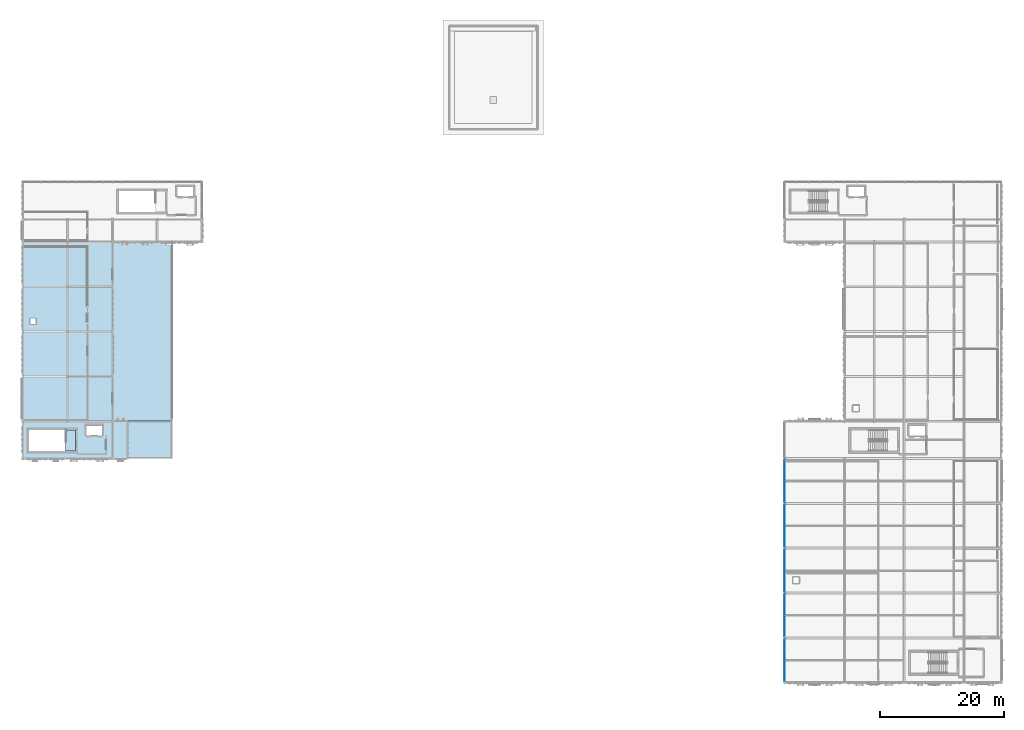
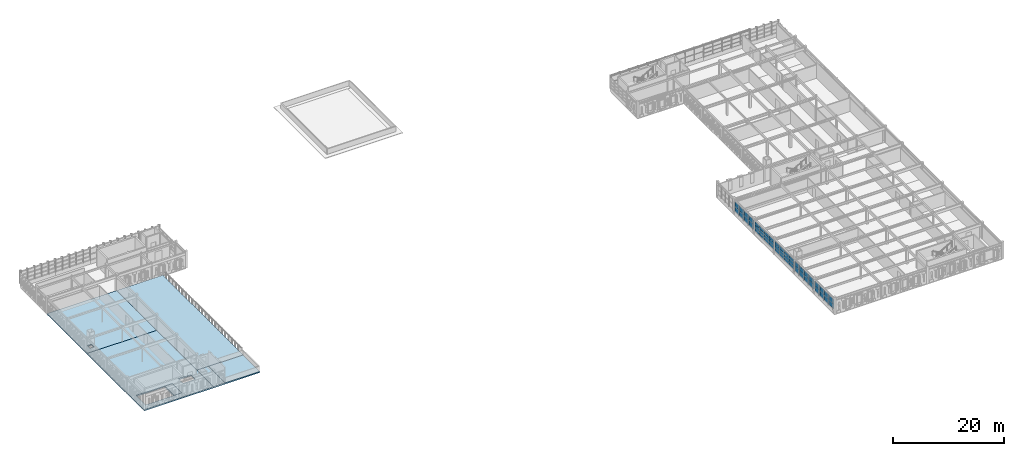
# One storey, part 20 of 46: 48 plates, 6 slabs, 5 elements without a shape of their own.
"""IFC4 building model written with IfcOpenShell, lengths in metres."""

from ifc_helpers import new_model, si_unit, direction, frame, origin, origin_2d, place, context, subcontext, project, spatial, polyline, rectangle, outline, extrude, material, layer, layer_set, type_object, element, aggregate, save


model = new_model("IFC4")

# Units and contexts
model_context = context("Model", 3, precision=1e-05, world=origin(), true_north=direction((0.0, 1.0)))
body_context = subcontext(model_context, "Body", "Model", "MODEL_VIEW")
ifc_project = project(units=[si_unit("LENGTHUNIT", "METRE"), si_unit("AREAUNIT", "SQUARE_METRE"), si_unit("VOLUMEUNIT", "CUBIC_METRE"), si_unit("PLANEANGLEUNIT", "RADIAN"), si_unit("MASSUNIT", "GRAM", prefix="KILO")], contexts=[model_context])

# Site, building, storey
site_placement = place(None, origin())
site = spatial("IfcSite", under=ifc_project, at=site_placement, CompositionType="ELEMENT")
building_placement = place(site_placement, origin())
building = spatial("IfcBuilding", under=site, at=building_placement, Name="Nzembalo Square Collegiate School", CompositionType="ELEMENT")
storey_placement = place(building_placement, frame((0.0, 0.0, 17.340087890625)))
storey = spatial("IfcBuildingStorey", under=building, at=storey_placement, Name="L04", CompositionType="ELEMENT", Elevation=17.340087890625)

# Curtain wall, plates
ifc_material_1 = material(Name="Aluminium 6060-T66", Category="aluminium")
curtain_wall_type_1 = type_object("IfcCurtainWallType", Name="CW-01", PredefinedType="USERDEFINED", material=ifc_material_1)
curtain_wall_1_placement = place(storey_placement, origin())
curtain_wall_1 = element("IfcCurtainWall", 1, at=curtain_wall_1_placement, inside=storey, type_object=curtain_wall_type_1, Name="Curtain wall CW-01 cw:L04:144", ObjectType="UNITISED", PredefinedType="USERDEFINED")
ifc_material_2 = material(Name="Laminated solar-control double glazing", Category="glass")
ifc_layer_1 = layer(ifc_material_2, 0.028076171875, Name="Laminated solar-control double glazing")
ifc_layer_set_1 = layer_set([ifc_layer_1], Name="Laminated solar-control double glazing")
plate_type_1 = type_object("IfcPlateType", Name="PN01", PredefinedType="CURTAIN_PANEL", material=ifc_layer_set_1)
plate_1_placement = place(storey_placement, frame((130.800048828125, 23.85888671875, 0.85400390625), z_axis=(0.0, 0.0, 1.0), x_axis=(0.0, 1.0, 0.0)))
plate_1 = element("IfcPlate", 2, at=plate_1_placement, type_object=plate_type_1, Name="PN01 glazed panel 1-1", PredefinedType="CURTAIN_PANEL", context=body_context, shape_type="SweptSolid", body=[
    extrude(rectangle(XDim=1.68603515625, YDim=0.028076171875, at=origin_2d()), origin(), (0.0, 0.0, 1.0), 0.70166015625),
])
plate_2_placement = place(storey_placement, frame((130.800048828125, 25.552978515625, 0.85400390625), z_axis=(0.0, 0.0, 1.0), x_axis=(0.0, 1.0, 0.0)))
plate_2 = element("IfcPlate", 3, at=plate_2_placement, type_object=plate_type_1, Name="PN01 glazed panel 1-2", PredefinedType="CURTAIN_PANEL", context=body_context, shape_type="SweptSolid", body=[
    extrude(rectangle(XDim=1.68603515625, YDim=0.028076171875, at=origin_2d()), origin(), (0.0, 0.0, 1.0), 0.70166015625),
])
plate_3_placement = place(storey_placement, frame((130.800048828125, 27.2470703125, 0.85400390625), z_axis=(0.0, 0.0, 1.0), x_axis=(0.0, 1.0, 0.0)))
plate_3 = element("IfcPlate", 4, at=plate_3_placement, type_object=plate_type_1, Name="PN01 glazed panel 1-3", PredefinedType="CURTAIN_PANEL", context=body_context, shape_type="SweptSolid", body=[
    extrude(rectangle(XDim=1.68603515625, YDim=0.028076171875, at=origin_2d()), origin(), (0.0, 0.0, 1.0), 0.70166015625),
])
plate_4_placement = place(storey_placement, frame((130.800048828125, 28.94091796875, 0.85400390625), z_axis=(0.0, 0.0, 1.0), x_axis=(0.0, 1.0, 0.0)))
plate_4 = element("IfcPlate", 5, at=plate_4_placement, type_object=plate_type_1, Name="PN01 glazed panel 1-4", PredefinedType="CURTAIN_PANEL", context=body_context, shape_type="SweptSolid", body=[
    extrude(rectangle(XDim=1.68603515625, YDim=0.028076171875, at=origin_2d()), origin(), (0.0, 0.0, 1.0), 0.70166015625),
])
plate_5_placement = place(storey_placement, frame((130.800048828125, 23.85888671875, 1.5634765625), z_axis=(0.0, 0.0, 1.0), x_axis=(0.0, 1.0, 0.0)))
plate_5 = element("IfcPlate", 6, at=plate_5_placement, type_object=plate_type_1, Name="PN01 glazed panel 2-1", PredefinedType="CURTAIN_PANEL", context=body_context, shape_type="SweptSolid", body=[
    extrude(rectangle(XDim=1.68603515625, YDim=0.028076171875, at=origin_2d()), origin(), (0.0, 0.0, 1.0), 0.70166015625),
])
plate_6_placement = place(storey_placement, frame((130.800048828125, 25.552978515625, 1.5634765625), z_axis=(0.0, 0.0, 1.0), x_axis=(0.0, 1.0, 0.0)))
plate_6 = element("IfcPlate", 7, at=plate_6_placement, type_object=plate_type_1, Name="PN01 glazed panel 2-2", PredefinedType="CURTAIN_PANEL", context=body_context, shape_type="SweptSolid", body=[
    extrude(rectangle(XDim=1.68603515625, YDim=0.028076171875, at=origin_2d()), origin(), (0.0, 0.0, 1.0), 0.70166015625),
])
plate_7_placement = place(storey_placement, frame((130.800048828125, 27.2470703125, 1.5634765625), z_axis=(0.0, 0.0, 1.0), x_axis=(0.0, 1.0, 0.0)))
plate_7 = element("IfcPlate", 8, at=plate_7_placement, type_object=plate_type_1, Name="PN01 glazed panel 2-3", PredefinedType="CURTAIN_PANEL", context=body_context, shape_type="SweptSolid", body=[
    extrude(rectangle(XDim=1.68603515625, YDim=0.028076171875, at=origin_2d()), origin(), (0.0, 0.0, 1.0), 0.70166015625),
])
plate_8_placement = place(storey_placement, frame((130.800048828125, 28.94091796875, 1.5634765625), z_axis=(0.0, 0.0, 1.0), x_axis=(0.0, 1.0, 0.0)))
plate_8 = element("IfcPlate", 9, at=plate_8_placement, type_object=plate_type_1, Name="PN01 glazed panel 2-4", PredefinedType="CURTAIN_PANEL", context=body_context, shape_type="SweptSolid", body=[
    extrude(rectangle(XDim=1.68603515625, YDim=0.028076171875, at=origin_2d()), origin(), (0.0, 0.0, 1.0), 0.70166015625),
])
plate_9_placement = place(storey_placement, frame((130.800048828125, 23.85888671875, 2.273193359375), z_axis=(0.0, 0.0, 1.0), x_axis=(0.0, 1.0, 0.0)))
plate_9 = element("IfcPlate", 10, at=plate_9_placement, type_object=plate_type_1, Name="PN01 glazed panel 3-1", PredefinedType="CURTAIN_PANEL", context=body_context, shape_type="SweptSolid", body=[
    extrude(rectangle(XDim=1.68603515625, YDim=0.028076171875, at=origin_2d()), origin(), (0.0, 0.0, 1.0), 0.70166015625),
])
plate_10_placement = place(storey_placement, frame((130.800048828125, 25.552978515625, 2.273193359375), z_axis=(0.0, 0.0, 1.0), x_axis=(0.0, 1.0, 0.0)))
plate_10 = element("IfcPlate", 11, at=plate_10_placement, type_object=plate_type_1, Name="PN01 glazed panel 3-2", PredefinedType="CURTAIN_PANEL", context=body_context, shape_type="SweptSolid", body=[
    extrude(rectangle(XDim=1.68603515625, YDim=0.028076171875, at=origin_2d()), origin(), (0.0, 0.0, 1.0), 0.70166015625),
])
plate_11_placement = place(storey_placement, frame((130.800048828125, 27.2470703125, 2.273193359375), z_axis=(0.0, 0.0, 1.0), x_axis=(0.0, 1.0, 0.0)))
plate_11 = element("IfcPlate", 12, at=plate_11_placement, type_object=plate_type_1, Name="PN01 glazed panel 3-3", PredefinedType="CURTAIN_PANEL", context=body_context, shape_type="SweptSolid", body=[
    extrude(rectangle(XDim=1.68603515625, YDim=0.028076171875, at=origin_2d()), origin(), (0.0, 0.0, 1.0), 0.70166015625),
])
plate_12_placement = place(storey_placement, frame((130.800048828125, 28.94091796875, 2.273193359375), z_axis=(0.0, 0.0, 1.0), x_axis=(0.0, 1.0, 0.0)))
plate_12 = element("IfcPlate", 13, at=plate_12_placement, type_object=plate_type_1, Name="PN01 glazed panel 3-4", PredefinedType="CURTAIN_PANEL", context=body_context, shape_type="SweptSolid", body=[
    extrude(rectangle(XDim=1.68603515625, YDim=0.028076171875, at=origin_2d()), origin(), (0.0, 0.0, 1.0), 0.70166015625),
])
aggregate(curtain_wall_1, [plate_1, plate_2, plate_3, plate_4, plate_5, plate_6, plate_7, plate_8, plate_9, plate_10, plate_11, plate_12])

ifc_material_3 = material(Name="Aluminium 6060-T66", Category="aluminium")
curtain_wall_type_2 = type_object("IfcCurtainWallType", Name="CW-02", PredefinedType="USERDEFINED", material=ifc_material_3)
curtain_wall_2_placement = place(storey_placement, origin())
curtain_wall_2 = element("IfcCurtainWall", 14, at=curtain_wall_2_placement, inside=storey, type_object=curtain_wall_type_2, Name="Curtain wall CW-02 cw:L04:145", ObjectType="UNITISED", PredefinedType="USERDEFINED")
plate_13_placement = place(storey_placement, frame((130.800048828125, 31.05908203125, 0.85400390625), z_axis=(0.0, 0.0, 1.0), x_axis=(0.0, 1.0, 0.0)))
plate_13 = element("IfcPlate", 15, at=plate_13_placement, type_object=plate_type_1, Name="PN01 glazed panel 1-1", PredefinedType="CURTAIN_PANEL", context=body_context, shape_type="SweptSolid", body=[
    extrude(rectangle(XDim=1.68603515625, YDim=0.028076171875, at=origin_2d()), origin(), (0.0, 0.0, 1.0), 0.70166015625),
])
plate_14_placement = place(storey_placement, frame((130.800048828125, 32.7529296875, 0.85400390625), z_axis=(0.0, 0.0, 1.0), x_axis=(0.0, 1.0, 0.0)))
plate_14 = element("IfcPlate", 16, at=plate_14_placement, type_object=plate_type_1, Name="PN01 glazed panel 1-2", PredefinedType="CURTAIN_PANEL", context=body_context, shape_type="SweptSolid", body=[
    extrude(rectangle(XDim=1.68603515625, YDim=0.028076171875, at=origin_2d()), origin(), (0.0, 0.0, 1.0), 0.70166015625),
])
plate_15_placement = place(storey_placement, frame((130.800048828125, 34.447021484375, 0.85400390625), z_axis=(0.0, 0.0, 1.0), x_axis=(0.0, 1.0, 0.0)))
plate_15 = element("IfcPlate", 17, at=plate_15_placement, type_object=plate_type_1, Name="PN01 glazed panel 1-3", PredefinedType="CURTAIN_PANEL", context=body_context, shape_type="SweptSolid", body=[
    extrude(rectangle(XDim=1.68603515625, YDim=0.028076171875, at=origin_2d()), origin(), (0.0, 0.0, 1.0), 0.70166015625),
])
plate_16_placement = place(storey_placement, frame((130.800048828125, 36.14111328125, 0.85400390625), z_axis=(0.0, 0.0, 1.0), x_axis=(0.0, 1.0, 0.0)))
plate_16 = element("IfcPlate", 18, at=plate_16_placement, type_object=plate_type_1, Name="PN01 glazed panel 1-4", PredefinedType="CURTAIN_PANEL", context=body_context, shape_type="SweptSolid", body=[
    extrude(rectangle(XDim=1.68603515625, YDim=0.028076171875, at=origin_2d()), origin(), (0.0, 0.0, 1.0), 0.70166015625),
])
plate_17_placement = place(storey_placement, frame((130.800048828125, 31.05908203125, 1.5634765625), z_axis=(0.0, 0.0, 1.0), x_axis=(0.0, 1.0, 0.0)))
plate_17 = element("IfcPlate", 19, at=plate_17_placement, type_object=plate_type_1, Name="PN01 glazed panel 2-1", PredefinedType="CURTAIN_PANEL", context=body_context, shape_type="SweptSolid", body=[
    extrude(rectangle(XDim=1.68603515625, YDim=0.028076171875, at=origin_2d()), origin(), (0.0, 0.0, 1.0), 0.70166015625),
])
plate_18_placement = place(storey_placement, frame((130.800048828125, 32.7529296875, 1.5634765625), z_axis=(0.0, 0.0, 1.0), x_axis=(0.0, 1.0, 0.0)))
plate_18 = element("IfcPlate", 20, at=plate_18_placement, type_object=plate_type_1, Name="PN01 glazed panel 2-2", PredefinedType="CURTAIN_PANEL", context=body_context, shape_type="SweptSolid", body=[
    extrude(rectangle(XDim=1.68603515625, YDim=0.028076171875, at=origin_2d()), origin(), (0.0, 0.0, 1.0), 0.70166015625),
])
plate_19_placement = place(storey_placement, frame((130.800048828125, 34.447021484375, 1.5634765625), z_axis=(0.0, 0.0, 1.0), x_axis=(0.0, 1.0, 0.0)))
plate_19 = element("IfcPlate", 21, at=plate_19_placement, type_object=plate_type_1, Name="PN01 glazed panel 2-3", PredefinedType="CURTAIN_PANEL", context=body_context, shape_type="SweptSolid", body=[
    extrude(rectangle(XDim=1.68603515625, YDim=0.028076171875, at=origin_2d()), origin(), (0.0, 0.0, 1.0), 0.70166015625),
])
plate_20_placement = place(storey_placement, frame((130.800048828125, 36.14111328125, 1.5634765625), z_axis=(0.0, 0.0, 1.0), x_axis=(0.0, 1.0, 0.0)))
plate_20 = element("IfcPlate", 22, at=plate_20_placement, type_object=plate_type_1, Name="PN01 glazed panel 2-4", PredefinedType="CURTAIN_PANEL", context=body_context, shape_type="SweptSolid", body=[
    extrude(rectangle(XDim=1.68603515625, YDim=0.028076171875, at=origin_2d()), origin(), (0.0, 0.0, 1.0), 0.70166015625),
])
plate_21_placement = place(storey_placement, frame((130.800048828125, 31.05908203125, 2.273193359375), z_axis=(0.0, 0.0, 1.0), x_axis=(0.0, 1.0, 0.0)))
plate_21 = element("IfcPlate", 23, at=plate_21_placement, type_object=plate_type_1, Name="PN01 glazed panel 3-1", PredefinedType="CURTAIN_PANEL", context=body_context, shape_type="SweptSolid", body=[
    extrude(rectangle(XDim=1.68603515625, YDim=0.028076171875, at=origin_2d()), origin(), (0.0, 0.0, 1.0), 0.70166015625),
])
plate_22_placement = place(storey_placement, frame((130.800048828125, 32.7529296875, 2.273193359375), z_axis=(0.0, 0.0, 1.0), x_axis=(0.0, 1.0, 0.0)))
plate_22 = element("IfcPlate", 24, at=plate_22_placement, type_object=plate_type_1, Name="PN01 glazed panel 3-2", PredefinedType="CURTAIN_PANEL", context=body_context, shape_type="SweptSolid", body=[
    extrude(rectangle(XDim=1.68603515625, YDim=0.028076171875, at=origin_2d()), origin(), (0.0, 0.0, 1.0), 0.70166015625),
])
plate_23_placement = place(storey_placement, frame((130.800048828125, 34.447021484375, 2.273193359375), z_axis=(0.0, 0.0, 1.0), x_axis=(0.0, 1.0, 0.0)))
plate_23 = element("IfcPlate", 25, at=plate_23_placement, type_object=plate_type_1, Name="PN01 glazed panel 3-3", PredefinedType="CURTAIN_PANEL", context=body_context, shape_type="SweptSolid", body=[
    extrude(rectangle(XDim=1.68603515625, YDim=0.028076171875, at=origin_2d()), origin(), (0.0, 0.0, 1.0), 0.70166015625),
])
plate_24_placement = place(storey_placement, frame((130.800048828125, 36.14111328125, 2.273193359375), z_axis=(0.0, 0.0, 1.0), x_axis=(0.0, 1.0, 0.0)))
plate_24 = element("IfcPlate", 26, at=plate_24_placement, type_object=plate_type_1, Name="PN01 glazed panel 3-4", PredefinedType="CURTAIN_PANEL", context=body_context, shape_type="SweptSolid", body=[
    extrude(rectangle(XDim=1.68603515625, YDim=0.028076171875, at=origin_2d()), origin(), (0.0, 0.0, 1.0), 0.70166015625),
])
aggregate(curtain_wall_2, [plate_13, plate_14, plate_15, plate_16, plate_17, plate_18, plate_19, plate_20, plate_21, plate_22, plate_23, plate_24])

ifc_material_4 = material(Name="Aluminium 6060-T66", Category="aluminium")
curtain_wall_type_3 = type_object("IfcCurtainWallType", Name="CW-07", PredefinedType="USERDEFINED", material=ifc_material_4)
curtain_wall_3_placement = place(storey_placement, origin())
curtain_wall_3 = element("IfcCurtainWall", 27, at=curtain_wall_3_placement, inside=storey, type_object=curtain_wall_type_3, Name="Curtain wall CW-07 cw:L04:142", ObjectType="LANCET", PredefinedType="USERDEFINED")
ifc_material_5 = material(Name="Acoustic laminated solar-control glazing", Category="glass")
ifc_layer_2 = layer(ifc_material_5, 0.031982421875, Name="Acoustic laminated solar-control glazing")
ifc_layer_set_2 = layer_set([ifc_layer_2], Name="Acoustic laminated solar-control glazing")
plate_type_2 = type_object("IfcPlateType", Name="PN02", PredefinedType="CURTAIN_PANEL", material=ifc_layer_set_2)
plate_25_placement = place(storey_placement, frame((130.800048828125, 9.458984375, 0.85400390625), z_axis=(0.0, 0.0, 1.0), x_axis=(0.0, 1.0, 0.0)))
plate_25 = element("IfcPlate", 28, at=plate_25_placement, type_object=plate_type_2, Name="PN02 glazed panel 1-1", PredefinedType="CURTAIN_PANEL", context=body_context, shape_type="SweptSolid", body=[
    extrude(rectangle(XDim=1.68603515625, YDim=0.031982421875, at=origin_2d()), origin(), (0.0, 0.0, 1.0), 1.056396484375),
])
plate_26_placement = place(storey_placement, frame((130.800048828125, 11.153076171875, 0.85400390625), z_axis=(0.0, 0.0, 1.0), x_axis=(0.0, 1.0, 0.0)))
plate_26 = element("IfcPlate", 29, at=plate_26_placement, type_object=plate_type_2, Name="PN02 glazed panel 1-2", PredefinedType="CURTAIN_PANEL", context=body_context, shape_type="SweptSolid", body=[
    extrude(rectangle(XDim=1.68603515625, YDim=0.031982421875, at=origin_2d()), origin(), (0.0, 0.0, 1.0), 1.056396484375),
])
plate_27_placement = place(storey_placement, frame((130.800048828125, 12.846923828125, 0.85400390625), z_axis=(0.0, 0.0, 1.0), x_axis=(0.0, 1.0, 0.0)))
plate_27 = element("IfcPlate", 30, at=plate_27_placement, type_object=plate_type_2, Name="PN02 glazed panel 1-3", PredefinedType="CURTAIN_PANEL", context=body_context, shape_type="SweptSolid", body=[
    extrude(rectangle(XDim=1.68603515625, YDim=0.031982421875, at=origin_2d()), origin(), (0.0, 0.0, 1.0), 1.056396484375),
])
plate_28_placement = place(storey_placement, frame((130.800048828125, 14.541015625, 0.85400390625), z_axis=(0.0, 0.0, 1.0), x_axis=(0.0, 1.0, 0.0)))
plate_28 = element("IfcPlate", 31, at=plate_28_placement, type_object=plate_type_2, Name="PN02 glazed panel 1-4", PredefinedType="CURTAIN_PANEL", context=body_context, shape_type="SweptSolid", body=[
    extrude(rectangle(XDim=1.68603515625, YDim=0.031982421875, at=origin_2d()), origin(), (0.0, 0.0, 1.0), 1.056396484375),
])
plate_29_placement = place(storey_placement, frame((130.800048828125, 9.458984375, 1.91845703125), z_axis=(0.0, 0.0, 1.0), x_axis=(0.0, 1.0, 0.0)))
plate_29 = element("IfcPlate", 32, at=plate_29_placement, type_object=plate_type_2, Name="PN02 glazed panel 2-1", PredefinedType="CURTAIN_PANEL", context=body_context, shape_type="SweptSolid", body=[
    extrude(rectangle(XDim=1.68603515625, YDim=0.031982421875, at=origin_2d()), origin(), (0.0, 0.0, 1.0), 1.056396484375),
])
plate_30_placement = place(storey_placement, frame((130.800048828125, 11.153076171875, 1.91845703125), z_axis=(0.0, 0.0, 1.0), x_axis=(0.0, 1.0, 0.0)))
plate_30 = element("IfcPlate", 33, at=plate_30_placement, type_object=plate_type_2, Name="PN02 glazed panel 2-2", PredefinedType="CURTAIN_PANEL", context=body_context, shape_type="SweptSolid", body=[
    extrude(rectangle(XDim=1.68603515625, YDim=0.031982421875, at=origin_2d()), origin(), (0.0, 0.0, 1.0), 1.056396484375),
])
plate_31_placement = place(storey_placement, frame((130.800048828125, 12.846923828125, 1.91845703125), z_axis=(0.0, 0.0, 1.0), x_axis=(0.0, 1.0, 0.0)))
plate_31 = element("IfcPlate", 34, at=plate_31_placement, type_object=plate_type_2, Name="PN02 glazed panel 2-3", PredefinedType="CURTAIN_PANEL", context=body_context, shape_type="SweptSolid", body=[
    extrude(rectangle(XDim=1.68603515625, YDim=0.031982421875, at=origin_2d()), origin(), (0.0, 0.0, 1.0), 1.056396484375),
])
plate_32_placement = place(storey_placement, frame((130.800048828125, 14.541015625, 1.91845703125), z_axis=(0.0, 0.0, 1.0), x_axis=(0.0, 1.0, 0.0)))
plate_32 = element("IfcPlate", 35, at=plate_32_placement, type_object=plate_type_2, Name="PN02 glazed panel 2-4", PredefinedType="CURTAIN_PANEL", context=body_context, shape_type="SweptSolid", body=[
    extrude(rectangle(XDim=1.68603515625, YDim=0.031982421875, at=origin_2d()), origin(), (0.0, 0.0, 1.0), 1.056396484375),
])
aggregate(curtain_wall_3, [plate_25, plate_26, plate_27, plate_28, plate_29, plate_30, plate_31, plate_32])

ifc_material_6 = material(Name="Aluminium 6060-T66", Category="aluminium")
curtain_wall_type_4 = type_object("IfcCurtainWallType", Name="CW-08", PredefinedType="USERDEFINED", material=ifc_material_6)
curtain_wall_4_placement = place(storey_placement, origin())
curtain_wall_4 = element("IfcCurtainWall", 36, at=curtain_wall_4_placement, inside=storey, type_object=curtain_wall_type_4, Name="Curtain wall CW-08 cw:L04:143", ObjectType="LANCET", PredefinedType="USERDEFINED")
plate_33_placement = place(storey_placement, frame((130.800048828125, 16.658935546875, 0.85400390625), z_axis=(0.0, 0.0, 1.0), x_axis=(0.0, 1.0, 0.0)))
plate_33 = element("IfcPlate", 37, at=plate_33_placement, type_object=plate_type_2, Name="PN02 glazed panel 1-1", PredefinedType="CURTAIN_PANEL", context=body_context, shape_type="SweptSolid", body=[
    extrude(rectangle(XDim=1.68603515625, YDim=0.031982421875, at=origin_2d()), origin(), (0.0, 0.0, 1.0), 1.056396484375),
])
plate_34_placement = place(storey_placement, frame((130.800048828125, 18.35302734375, 0.85400390625), z_axis=(0.0, 0.0, 1.0), x_axis=(0.0, 1.0, 0.0)))
plate_34 = element("IfcPlate", 38, at=plate_34_placement, type_object=plate_type_2, Name="PN02 glazed panel 1-2", PredefinedType="CURTAIN_PANEL", context=body_context, shape_type="SweptSolid", body=[
    extrude(rectangle(XDim=1.68603515625, YDim=0.031982421875, at=origin_2d()), origin(), (0.0, 0.0, 1.0), 1.056396484375),
])
plate_35_placement = place(storey_placement, frame((130.800048828125, 20.047119140625, 0.85400390625), z_axis=(0.0, 0.0, 1.0), x_axis=(0.0, 1.0, 0.0)))
plate_35 = element("IfcPlate", 39, at=plate_35_placement, type_object=plate_type_2, Name="PN02 glazed panel 1-3", PredefinedType="CURTAIN_PANEL", context=body_context, shape_type="SweptSolid", body=[
    extrude(rectangle(XDim=1.68603515625, YDim=0.031982421875, at=origin_2d()), origin(), (0.0, 0.0, 1.0), 1.056396484375),
])
plate_36_placement = place(storey_placement, frame((130.800048828125, 21.740966796875, 0.85400390625), z_axis=(0.0, 0.0, 1.0), x_axis=(0.0, 1.0, 0.0)))
plate_36 = element("IfcPlate", 40, at=plate_36_placement, type_object=plate_type_2, Name="PN02 glazed panel 1-4", PredefinedType="CURTAIN_PANEL", context=body_context, shape_type="SweptSolid", body=[
    extrude(rectangle(XDim=1.68603515625, YDim=0.031982421875, at=origin_2d()), origin(), (0.0, 0.0, 1.0), 1.056396484375),
])
plate_37_placement = place(storey_placement, frame((130.800048828125, 16.658935546875, 1.91845703125), z_axis=(0.0, 0.0, 1.0), x_axis=(0.0, 1.0, 0.0)))
plate_37 = element("IfcPlate", 41, at=plate_37_placement, type_object=plate_type_2, Name="PN02 glazed panel 2-1", PredefinedType="CURTAIN_PANEL", context=body_context, shape_type="SweptSolid", body=[
    extrude(rectangle(XDim=1.68603515625, YDim=0.031982421875, at=origin_2d()), origin(), (0.0, 0.0, 1.0), 1.056396484375),
])
plate_38_placement = place(storey_placement, frame((130.800048828125, 18.35302734375, 1.91845703125), z_axis=(0.0, 0.0, 1.0), x_axis=(0.0, 1.0, 0.0)))
plate_38 = element("IfcPlate", 42, at=plate_38_placement, type_object=plate_type_2, Name="PN02 glazed panel 2-2", PredefinedType="CURTAIN_PANEL", context=body_context, shape_type="SweptSolid", body=[
    extrude(rectangle(XDim=1.68603515625, YDim=0.031982421875, at=origin_2d()), origin(), (0.0, 0.0, 1.0), 1.056396484375),
])
plate_39_placement = place(storey_placement, frame((130.800048828125, 20.047119140625, 1.91845703125), z_axis=(0.0, 0.0, 1.0), x_axis=(0.0, 1.0, 0.0)))
plate_39 = element("IfcPlate", 43, at=plate_39_placement, type_object=plate_type_2, Name="PN02 glazed panel 2-3", PredefinedType="CURTAIN_PANEL", context=body_context, shape_type="SweptSolid", body=[
    extrude(rectangle(XDim=1.68603515625, YDim=0.031982421875, at=origin_2d()), origin(), (0.0, 0.0, 1.0), 1.056396484375),
])
plate_40_placement = place(storey_placement, frame((130.800048828125, 21.740966796875, 1.91845703125), z_axis=(0.0, 0.0, 1.0), x_axis=(0.0, 1.0, 0.0)))
plate_40 = element("IfcPlate", 44, at=plate_40_placement, type_object=plate_type_2, Name="PN02 glazed panel 2-4", PredefinedType="CURTAIN_PANEL", context=body_context, shape_type="SweptSolid", body=[
    extrude(rectangle(XDim=1.68603515625, YDim=0.031982421875, at=origin_2d()), origin(), (0.0, 0.0, 1.0), 1.056396484375),
])
aggregate(curtain_wall_4, [plate_33, plate_34, plate_35, plate_36, plate_37, plate_38, plate_39, plate_40])

ifc_material_7 = material(Name="Aluminium 6060-T66", Category="aluminium")
curtain_wall_type_5 = type_object("IfcCurtainWallType", Name="CW-03", PredefinedType="USERDEFINED", material=ifc_material_7)
curtain_wall_5_placement = place(storey_placement, origin())
curtain_wall_5 = element("IfcCurtainWall", 45, at=curtain_wall_5_placement, inside=storey, type_object=curtain_wall_type_5, Name="Curtain wall CW-03 cw:L04:146", ObjectType="UNITISED", PredefinedType="USERDEFINED")
plate_41_placement = place(storey_placement, frame((130.800048828125, 38.259033203125, 0.85400390625), z_axis=(0.0, 0.0, 1.0), x_axis=(0.0, 1.0, 0.0)))
plate_41 = element("IfcPlate", 46, at=plate_41_placement, type_object=plate_type_2, Name="PN02 glazed panel 1-1", PredefinedType="CURTAIN_PANEL", context=body_context, shape_type="SweptSolid", body=[
    extrude(rectangle(XDim=1.68603515625, YDim=0.031982421875, at=origin_2d()), origin(), (0.0, 0.0, 1.0), 1.056396484375),
])
plate_42_placement = place(storey_placement, frame((130.800048828125, 39.952880859375, 0.85400390625), z_axis=(0.0, 0.0, 1.0), x_axis=(0.0, 1.0, 0.0)))
plate_42 = element("IfcPlate", 47, at=plate_42_placement, type_object=plate_type_2, Name="PN02 glazed panel 1-2", PredefinedType="CURTAIN_PANEL", context=body_context, shape_type="SweptSolid", body=[
    extrude(rectangle(XDim=1.68603515625, YDim=0.031982421875, at=origin_2d()), origin(), (0.0, 0.0, 1.0), 1.056396484375),
])
plate_43_placement = place(storey_placement, frame((130.800048828125, 41.64697265625, 0.85400390625), z_axis=(0.0, 0.0, 1.0), x_axis=(0.0, 1.0, 0.0)))
plate_43 = element("IfcPlate", 48, at=plate_43_placement, type_object=plate_type_2, Name="PN02 glazed panel 1-3", PredefinedType="CURTAIN_PANEL", context=body_context, shape_type="SweptSolid", body=[
    extrude(rectangle(XDim=1.68603515625, YDim=0.031982421875, at=origin_2d()), origin(), (0.0, 0.0, 1.0), 1.056396484375),
])
plate_44_placement = place(storey_placement, frame((130.800048828125, 43.341064453125, 0.85400390625), z_axis=(0.0, 0.0, 1.0), x_axis=(0.0, 1.0, 0.0)))
plate_44 = element("IfcPlate", 49, at=plate_44_placement, type_object=plate_type_2, Name="PN02 glazed panel 1-4", PredefinedType="CURTAIN_PANEL", context=body_context, shape_type="SweptSolid", body=[
    extrude(rectangle(XDim=1.68603515625, YDim=0.031982421875, at=origin_2d()), origin(), (0.0, 0.0, 1.0), 1.056396484375),
])
plate_45_placement = place(storey_placement, frame((130.800048828125, 38.259033203125, 1.91845703125), z_axis=(0.0, 0.0, 1.0), x_axis=(0.0, 1.0, 0.0)))
plate_45 = element("IfcPlate", 50, at=plate_45_placement, type_object=plate_type_2, Name="PN02 glazed panel 2-1", PredefinedType="CURTAIN_PANEL", context=body_context, shape_type="SweptSolid", body=[
    extrude(rectangle(XDim=1.68603515625, YDim=0.031982421875, at=origin_2d()), origin(), (0.0, 0.0, 1.0), 1.056396484375),
])
plate_46_placement = place(storey_placement, frame((130.800048828125, 39.952880859375, 1.91845703125), z_axis=(0.0, 0.0, 1.0), x_axis=(0.0, 1.0, 0.0)))
plate_46 = element("IfcPlate", 51, at=plate_46_placement, type_object=plate_type_2, Name="PN02 glazed panel 2-2", PredefinedType="CURTAIN_PANEL", context=body_context, shape_type="SweptSolid", body=[
    extrude(rectangle(XDim=1.68603515625, YDim=0.031982421875, at=origin_2d()), origin(), (0.0, 0.0, 1.0), 1.056396484375),
])
plate_47_placement = place(storey_placement, frame((130.800048828125, 41.64697265625, 1.91845703125), z_axis=(0.0, 0.0, 1.0), x_axis=(0.0, 1.0, 0.0)))
plate_47 = element("IfcPlate", 52, at=plate_47_placement, type_object=plate_type_2, Name="PN02 glazed panel 2-3", PredefinedType="CURTAIN_PANEL", context=body_context, shape_type="SweptSolid", body=[
    extrude(rectangle(XDim=1.68603515625, YDim=0.031982421875, at=origin_2d()), origin(), (0.0, 0.0, 1.0), 1.056396484375),
])
plate_48_placement = place(storey_placement, frame((130.800048828125, 43.341064453125, 1.91845703125), z_axis=(0.0, 0.0, 1.0), x_axis=(0.0, 1.0, 0.0)))
plate_48 = element("IfcPlate", 53, at=plate_48_placement, type_object=plate_type_2, Name="PN02 glazed panel 2-4", PredefinedType="CURTAIN_PANEL", context=body_context, shape_type="SweptSolid", body=[
    extrude(rectangle(XDim=1.68603515625, YDim=0.031982421875, at=origin_2d()), origin(), (0.0, 0.0, 1.0), 1.056396484375),
])
aggregate(curtain_wall_5, [plate_41, plate_42, plate_43, plate_44, plate_45, plate_46, plate_47, plate_48])

# Slabs
ifc_material_8 = material(Name="CLT CL24", Category="wood")
ifc_layer_3 = layer(ifc_material_8, 0.27001953125, Name="CLT CL24")
ifc_layer_set_3 = layer_set([ifc_layer_3], Name="CLT CL24")
slab_type_1 = type_object("IfcSlabType", Name="RS-F27", PredefinedType="ROOF", material=ifc_layer_set_3)
slab_1_placement = place(storey_placement, frame((0.0, 0.0, -0.27001953125)))
element("IfcSlab", 54, at=slab_1_placement, inside=storey, type_object=slab_type_1, Name="Step roof slab RS-L04-PA", PredefinedType="ROOF", context=body_context, shape_type="SweptSolid", body=[
    extrude(outline(polyline([(25.199951171875, 44.39990234375), (32.39990234375, 44.39990234375), (32.39990234375, 50.39990234375), (25.199951171875, 50.39990234375), (25.199951171875, 44.39990234375)])), origin(), (0.0, 0.0, 1.0), 0.27001953125),
])
ifc_material_9 = material(Name="CLT CL24", Category="wood")
ifc_layer_4 = layer(ifc_material_9, 0.27587890625, Name="CLT CL24")
ifc_layer_set_4 = layer_set([ifc_layer_4], Name="CLT CL24")
slab_type_2 = type_object("IfcSlabType", Name="SL-04", PredefinedType="FLOOR", material=ifc_layer_set_4)
slab_2_placement = place(storey_placement, frame((0.0, 0.0, -0.276123046875)))
element("IfcSlab", 55, at=slab_2_placement, inside=storey, type_object=slab_type_2, Name="Slab SL-L04-74", PredefinedType="FLOOR", context=body_context, shape_type="SweptSolid", body=[
    extrude(outline(polyline([(8.39990234375, 44.39990234375), (22.800048828125, 44.39990234375), (22.800048828125, 64.800048828125), (8.39990234375, 64.800048828125), (8.39990234375, 44.39990234375)]), holes=[polyline([(18.60009765625, 48.10009765625), (21.199951171875, 48.10009765625), (21.199951171875, 49.699951171875), (18.60009765625, 49.699951171875), (18.60009765625, 48.10009765625)]), polyline([(16.89990234375, 49.0), (9.39990234375, 49.0), (9.39990234375, 45.60009765625), (16.89990234375, 45.60009765625), (16.89990234375, 49.0)])]), origin(), (0.0, 0.0, 1.0), 0.276123046875),
])
slab_3_placement = place(storey_placement, frame((0.0, 0.0, -0.276123046875)))
element("IfcSlab", 56, at=slab_3_placement, inside=storey, type_object=slab_type_2, Name="Slab SL-L04-75", PredefinedType="FLOOR", context=body_context, shape_type="SweptSolid", body=[
    extrude(outline(polyline([(8.39990234375, 64.800048828125), (22.800048828125, 64.800048828125), (22.800048828125, 79.199951171875), (8.39990234375, 79.199951171875), (8.39990234375, 64.800048828125)]), holes=[polyline([(9.60009765625, 66.0), (10.5, 66.0), (10.5, 66.89990234375), (9.60009765625, 66.89990234375), (9.60009765625, 66.0)])]), origin(), (0.0, 0.0, 1.0), 0.276123046875),
])
slab_4_placement = place(storey_placement, frame((0.0, 0.0, -0.276123046875)))
element("IfcSlab", 57, at=slab_4_placement, inside=storey, type_object=slab_type_2, Name="Slab SL-L04-76", PredefinedType="FLOOR", context=body_context, shape_type="SweptSolid", body=[
    extrude(outline(polyline([(22.800048828125, 44.39990234375), (25.199951171875, 44.39990234375), (25.199951171875, 50.39990234375), (22.800048828125, 50.39990234375), (22.800048828125, 44.39990234375)])), origin(), (0.0, 0.0, 1.0), 0.276123046875),
])
slab_5_placement = place(storey_placement, frame((0.0, 0.0, -0.276123046875)))
element("IfcSlab", 58, at=slab_5_placement, inside=storey, type_object=slab_type_2, Name="Core C1 floor landing slab SL-L04-C1", PredefinedType="FLOOR", context=body_context, shape_type="SweptSolid", body=[
    extrude(outline(polyline([(15.300048828125, 45.60009765625), (16.89990234375, 45.60009765625), (16.89990234375, 49.0), (15.300048828125, 49.0), (15.300048828125, 45.60009765625)])), origin(), (0.0, 0.0, 1.0), 0.276123046875),
])
ifc_material_10 = material(Name="Concrete C30/37", Category="concrete")
ifc_layer_5 = layer(ifc_material_10, 0.27490234375, Name="Concrete C30/37")
ifc_layer_set_5 = layer_set([ifc_layer_5], Name="Concrete C30/37")
slab_type_3 = type_object("IfcSlabType", Name="SL-04E", PredefinedType="FLOOR", material=ifc_layer_set_5)
slab_6_placement = place(storey_placement, frame((0.0, 0.0, -0.275146484375)))
element("IfcSlab", 59, at=slab_6_placement, inside=storey, type_object=slab_type_3, Name="Slab SL-L04-78", PredefinedType="FLOOR", context=body_context, shape_type="SweptSolid", body=[
    extrude(outline(polyline([(22.800048828125, 50.39990234375), (32.39990234375, 50.39990234375), (32.39990234375, 79.199951171875), (22.800048828125, 79.199951171875), (22.800048828125, 50.39990234375)])), origin(), (0.0, 0.0, 1.0), 0.275146484375),
])

save(model, "model.ifc")
